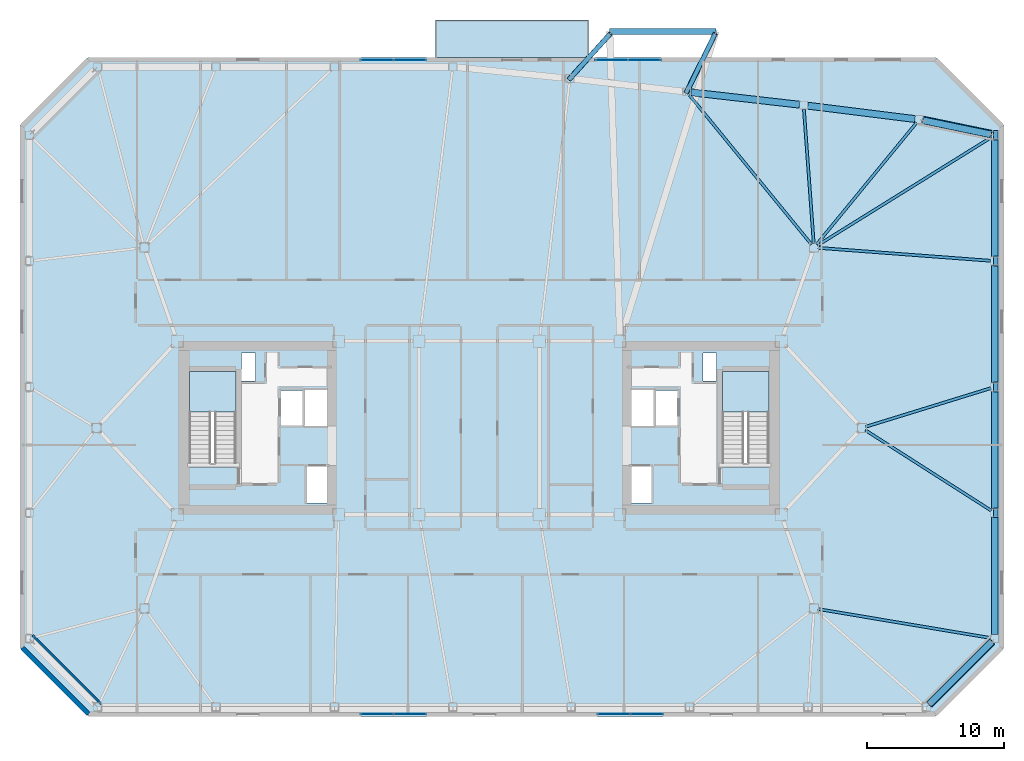
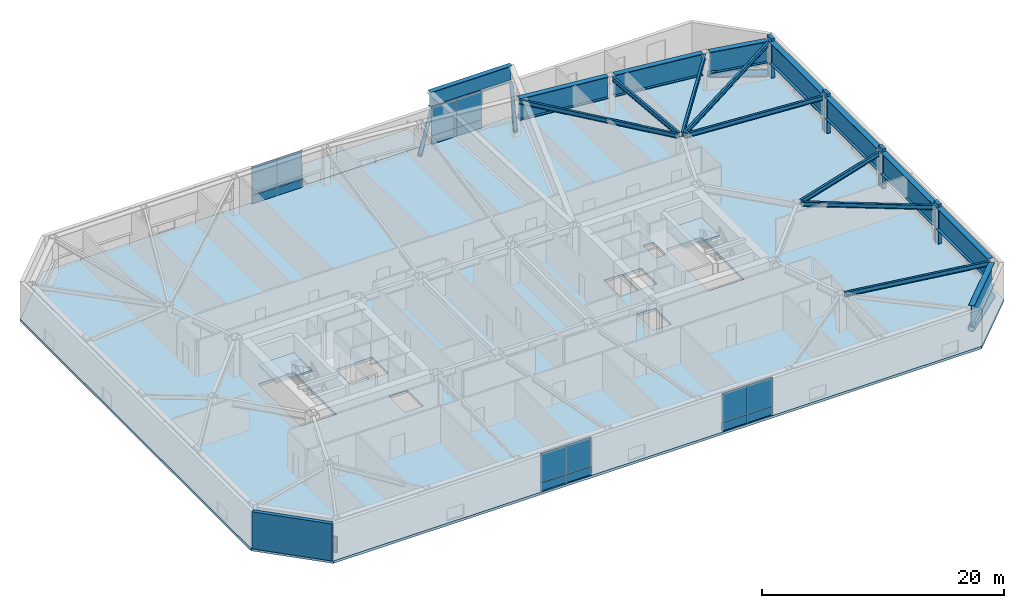
# One storey, part 9 of 19: 17 beams, 16 plates, 8 members, 4 slabs, 2 walls, 6 elements without a shape of their own.
"""IFC4 building model written with IfcOpenShell, lengths in metres."""

import ifcopenshell
import ifcopenshell.guid

model = None  # the IFC model being written
_history = None  # IfcOwnerHistory: only IFC2X3 demands one
_inside = {}  # id of a spatial element -> (the spatial element, [elements in it])
_under = {}  # id of a project, library or spatial element -> (it, [spatial elements below it])
_declared = {}  # id of a project -> (the project, [libraries it declares])
_typed = {}  # id of a type object -> (the type object, [elements of that type])
_made_of = {}  # id of a material, layer set ... -> (it, [elements and type objects made of it])


def new_model(schema):
    """Start an empty IFC model of exactly this schema.

    Asked for "IFC4X3", IfcOpenShell would pick the latest addendum, in which some entities
    have other attributes; the version numbers below select the first issue.
    IFC2X3 requires an IfcOwnerHistory on every rooted entity: one is made here for all.
    """
    global model, _history
    if schema == "IFC4X3":
        model = ifcopenshell.file(schema_version=(4, 3, 0, 0))
    else:
        model = ifcopenshell.file(schema=schema)
    _inside.clear()
    _under.clear()
    _declared.clear()
    _typed.clear()
    _made_of.clear()
    _history = None
    if model.schema == "IFC2X3":
        org = make("IfcOrganization", Name="unknown")
        user = make(
            "IfcPersonAndOrganization",
            ThePerson=make("IfcPerson", FamilyName="unknown"),
            TheOrganization=org,
        )
        app = make(
            "IfcApplication",
            ApplicationDeveloper=org,
            Version="unknown",
            ApplicationFullName="unknown",
            ApplicationIdentifier="unknown",
        )
        _history = make(
            "IfcOwnerHistory",
            OwningUser=user,
            OwningApplication=app,
            ChangeAction="ADDED",
            CreationDate=0,
        )
    return model


def make(cls, **values):
    """One entity of the class cls with the attributes given. An attribute that is None is left unset."""
    return model.create_entity(
        cls, **{name: value for name, value in values.items() if value is not None}
    )


def rooted(cls, **values):
    """An entity with a GlobalId (a new one), such as an element, a storey or a relation."""
    return make(cls, GlobalId=ifcopenshell.guid.new(), OwnerHistory=_history, **values)


def si_unit(unit_type, name, prefix=None):
    """IfcSIUnit, for example si_unit("LENGTHUNIT", "METRE", prefix="MILLI")."""
    return make("IfcSIUnit", UnitType=unit_type, Prefix=prefix, Name=name)


def assignment(units):
    """IfcUnitAssignment: the units of a project."""
    return None if units is None else make("IfcUnitAssignment", Units=units)


def point(xyz):
    """IfcCartesianPoint."""
    return None if xyz is None else make("IfcCartesianPoint", Coordinates=xyz)


def direction(xyz):
    """IfcDirection."""
    return None if xyz is None else make("IfcDirection", DirectionRatios=xyz)


def frame(location, z_axis=None, x_axis=None):
    """IfcAxis2Placement3D, a coordinate frame: its origin and axes. An axis left out is left unset."""
    return make(
        "IfcAxis2Placement3D",
        Location=point(location),
        Axis=direction(z_axis),
        RefDirection=direction(x_axis),
    )


def frame_2d(location, x_axis=None):
    """IfcAxis2Placement2D, a coordinate frame in the plane: its origin and x axis."""
    return make(
        "IfcAxis2Placement2D", Location=point(location), RefDirection=direction(x_axis)
    )


def origin():
    """The frame at (0, 0, 0) with its axes left unset."""
    return frame((0.0, 0.0, 0.0))


def origin_2d():
    """The frame at (0, 0) in the plane with its x axis left unset."""
    return frame_2d((0.0, 0.0))


def place(relative_to, where):
    """IfcLocalPlacement: puts the frame where relative to a parent placement (None: the world)."""
    return make(
        "IfcLocalPlacement", PlacementRelTo=relative_to, RelativePlacement=where
    )


def context(
    kind, dimensions, precision=None, world=None, true_north=None, identifier=None
):
    """IfcGeometricRepresentationContext, for example the 3D "Model" context."""
    return make(
        "IfcGeometricRepresentationContext",
        ContextIdentifier=identifier,
        ContextType=kind,
        CoordinateSpaceDimension=dimensions,
        Precision=precision,
        WorldCoordinateSystem=world,
        TrueNorth=true_north,
    )


def subcontext(parent, identifier, kind, view, scale=None):
    """IfcGeometricRepresentationSubContext, for example "Body" below "Model"."""
    return make(
        "IfcGeometricRepresentationSubContext",
        ContextIdentifier=identifier,
        ContextType=kind,
        ParentContext=parent,
        TargetScale=scale,
        TargetView=view,
    )


def project(units=None, contexts=None):
    """IfcProject with its units and contexts."""
    return rooted(
        "IfcProject",
        Name="project",
        RepresentationContexts=contexts,
        UnitsInContext=assignment(units),
    )


def spatial(cls, under=None, at=None, **own):
    """A site, building, storey or space (cls), placed at a placement, below another one or the project."""
    s = rooted(cls, ObjectPlacement=at, **own)
    if under is not None:
        _under.setdefault(under.id(), (under, []))[1].append(s)
    return s


def polyline(points):
    """IfcPolyline through the points."""
    return make("IfcPolyline", Points=[point(p) for p in points])


def profile(cls, at=None, kind="AREA", **sizes):
    """A parametric profile (cls). Its sizes go by their IFC names, for example OverallWidth=200.0."""
    return make(cls, ProfileType=kind, Position=at, **sizes)


def rectangle(**sizes):
    """IfcRectangleProfileDef."""
    return profile("IfcRectangleProfileDef", **sizes)


def hollow_circle(**sizes):
    """IfcCircleHollowProfileDef."""
    return profile("IfcCircleHollowProfileDef", **sizes)


def i_section(**sizes):
    """IfcIShapeProfileDef."""
    return profile("IfcIShapeProfileDef", **sizes)


def outline(outer, holes=None, kind="AREA"):
    """IfcArbitraryClosedProfileDef: a profile drawn as a closed curve; with holes, ...WithVoids."""
    if holes is None:
        return make("IfcArbitraryClosedProfileDef", ProfileType=kind, OuterCurve=outer)
    return make(
        "IfcArbitraryProfileDefWithVoids",
        ProfileType=kind,
        OuterCurve=outer,
        InnerCurves=holes,
    )


def extrude(swept, where, along, depth):
    """IfcExtrudedAreaSolid: the profile swept, set in the frame where, extruded along a direction by depth."""
    return make(
        "IfcExtrudedAreaSolid",
        SweptArea=swept,
        Position=where,
        ExtrudedDirection=direction(along),
        Depth=depth,
    )


def shape(context_of_items, identifier, shape_type, items):
    """IfcShapeRepresentation: the items that make up one representation, for example the "Body"."""
    return make(
        "IfcShapeRepresentation",
        ContextOfItems=context_of_items,
        RepresentationIdentifier=identifier,
        RepresentationType=shape_type,
        Items=items,
    )


def material(Name=None, Category=None):
    """IfcMaterial."""
    return make("IfcMaterial", Name=Name, Category=Category)


def layer(
    of_material, thickness, ventilated=None, Name=None, Category=None, Priority=None
):
    """IfcMaterialLayer: one layer of a wall or slab, of a material (None: an air gap)."""
    return make(
        "IfcMaterialLayer",
        Material=of_material,
        LayerThickness=thickness,
        IsVentilated=ventilated,
        Name=Name,
        Category=Category,
        Priority=Priority,
    )


def layer_set(layers, Name=None):
    """IfcMaterialLayerSet."""
    return make("IfcMaterialLayerSet", MaterialLayers=layers, LayerSetName=Name)


def material_profile(
    of_material, cross_section, Name=None, Category=None, Priority=None
):
    """IfcMaterialProfile: a cross section and its material."""
    return make(
        "IfcMaterialProfile",
        Name=Name,
        Material=of_material,
        Profile=cross_section,
        Priority=Priority,
        Category=Category,
    )


def profile_set(profiles, Name=None, composite=None):
    """IfcMaterialProfileSet."""
    return make(
        "IfcMaterialProfileSet",
        Name=Name,
        MaterialProfiles=profiles,
        CompositeProfile=composite,
    )


def made_of(thing, what):
    """Note that an element or type object is made of a material, layer set ...; save() writes the relation."""
    if what is not None:
        _made_of.setdefault(what.id(), (what, []))[1].append(thing)
    return thing


def type_object(cls, material=None, **own):
    """A type object (cls), such as IfcWallType, which elements share."""
    return made_of(rooted(cls, **own), material)


def element(
    cls,
    number,
    at=None,
    inside=None,
    cuts=None,
    type_object=None,
    material=None,
    context=None,
    identifier="Body",
    shape_type=None,
    held_by="IfcProductDefinitionShape",
    body=None,
    shapes=None,
    **own,
):
    """One element of the class cls, such as IfcWall. Its Tag is "e" and its number.

    at: its placement. inside: the storey or other place that contains it. cuts: it is an
    opening in that element (IfcRelVoidsElement). A single representation is given by context,
    identifier, shape_type and body (its items); several are given by shapes. held_by: the class
    of the entity that holds the representations. save() writes the other relations.
    """
    e = rooted(cls, Tag="e%d" % number, ObjectPlacement=at, **own)
    if body is not None:
        shapes = [shape(context, identifier, shape_type, body)]
    if shapes is not None:
        e.Representation = make(held_by, Representations=shapes)
    if inside is not None:
        _inside.setdefault(inside.id(), (inside, []))[1].append(e)
    if cuts is not None:
        rooted(
            "IfcRelVoidsElement", RelatingBuildingElement=cuts, RelatedOpeningElement=e
        )
    if type_object is not None:
        _typed.setdefault(type_object.id(), (type_object, []))[1].append(e)
    return made_of(e, material)


def aggregate(whole, parts):
    """IfcRelAggregates: a whole, such as a stair, and the parts it consists of."""
    return rooted("IfcRelAggregates", RelatingObject=whole, RelatedObjects=parts)


def save(model, path):
    """Write the relations noted so far, then the file.

    IfcRelAggregates (storeys below a building ...), IfcRelContainedInSpatialStructure (elements
    in a storey), IfcRelDefinesByType, IfcRelAssociatesMaterial and IfcRelDeclares: one each for
    every whole, place, type object, material and project.
    """
    for whole, parts in _under.values():
        aggregate(whole, parts)
    for where, things in _inside.values():
        rooted(
            "IfcRelContainedInSpatialStructure",
            RelatedElements=things,
            RelatingStructure=where,
        )
    for kind, things in _typed.values():
        rooted("IfcRelDefinesByType", RelatedObjects=things, RelatingType=kind)
    for what, things in _made_of.values():
        rooted("IfcRelAssociatesMaterial", RelatedObjects=things, RelatingMaterial=what)
    for by, libraries in _declared.values():
        rooted("IfcRelDeclares", RelatingContext=by, RelatedDefinitions=libraries)
    model.write(path)


model = new_model("IFC4")

# Units and contexts
model_context = context("Model", 3, precision=1e-05, world=origin(), true_north=direction((0.0, 1.0)))
body_context = subcontext(model_context, "Body", "Model", "MODEL_VIEW")
ifc_project = project(units=[si_unit("LENGTHUNIT", "METRE"), si_unit("AREAUNIT", "SQUARE_METRE"), si_unit("VOLUMEUNIT", "CUBIC_METRE"), si_unit("PLANEANGLEUNIT", "RADIAN"), si_unit("MASSUNIT", "GRAM", prefix="KILO")], contexts=[model_context])

# Site, building, storey
site_placement = place(None, origin())
site = spatial("IfcSite", under=ifc_project, at=site_placement, CompositionType="ELEMENT")
building_placement = place(site_placement, origin())
building = spatial("IfcBuilding", under=site, at=building_placement, Name="Tavrogorsk Clinical Tower", CompositionType="ELEMENT")
storey_placement = place(building_placement, frame((0.0, 0.0, 172.199951171875)))
storey = spatial("IfcBuildingStorey", under=building, at=storey_placement, Name="L39", CompositionType="ELEMENT", Elevation=172.199951171875)

# Members
ifc_material_1 = material(Name="Structural steel S390", Category="steel")
ifc_material_profile_1 = material_profile(ifc_material_1, hollow_circle(Radius=0.177734375, WallThickness=0.01416015625, at=origin_2d()), Name="CHS-355.6x14.2")
ifc_profile_set_1 = profile_set([ifc_material_profile_1], Name="Structural steel S390")
member_type_1 = type_object("IfcMemberType", Name="DayroomStrut_CHS355", PredefinedType="STRUT", material=ifc_profile_set_1)
member_1_placement = place(storey_placement, frame((6.5830078125, 25.509765625, 0.426513671875), z_axis=(0.640085362627, 0.709773536865, 0.294129656644), x_axis=(-0.742623076319, 0.669709613578, 0.0)))
element("IfcMember", 1, at=member_1_placement, inside=storey, type_object=member_type_1, Name="L40 Day-Room Raking Strut DRB-06-L", PredefinedType="STRUT", context=body_context, shape_type="SweptSolid", body=[
    extrude(hollow_circle(Radius=0.177734375, WallThickness=0.01416015625, at=origin_2d()), origin(), (0.0, 0.0, 1.0), 4.715576171875),
])
member_2_placement = place(storey_placement, frame((15.152099609375, 24.523193359375, 0.427978515625), z_axis=(0.423434223277, 0.8632103308, 0.274902497911), x_axis=(-0.897800698117, 0.440401982808, 0.0)))
element("IfcMember", 2, at=member_2_placement, inside=storey, type_object=member_type_1, Name="L40 Day-Room Raking Strut DRB-06-R", PredefinedType="STRUT", context=body_context, shape_type="SweptSolid", body=[
    extrude(hollow_circle(Radius=0.177734375, WallThickness=0.01416015625, at=origin_2d()), origin(), (0.0, 0.0, 1.0), 5.03466796875),
])
ifc_material_2 = material(Name="Structural steel S440", Category="steel")
ifc_material_profile_2 = material_profile(ifc_material_2, hollow_circle(Radius=0.304931640625, WallThickness=0.02490234375, at=origin_2d()), Name="CHS-610x25")
ifc_profile_set_2 = profile_set([ifc_material_profile_2], Name="Structural steel S440")
member_type_2 = type_object("IfcMemberType", Name="ExoBrace_CHS610", PredefinedType="BRACE", material=ifc_profile_set_2)
member_3_placement = place(storey_placement, frame((37.505126953125, -15.634765625, 0.35107421875), z_axis=(-0.697280371641, -0.697317619524, 0.165976567096), x_axis=(0.707125666829, -0.70708789504, 0.0)))
element("IfcMember", 3, at=member_3_placement, inside=storey, type_object=member_type_2, Name="L39 Corner Exoskeleton Brace S8-E1", PredefinedType="BRACE", context=body_context, shape_type="SweptSolid", body=[
    extrude(hollow_circle(Radius=0.304931640625, WallThickness=0.02490234375, at=origin_2d()), origin(), (0.0, 0.0, 1.0), 6.554443359375),
])
member_4_placement = place(storey_placement, frame((37.4248046875, 21.481201171875, 0.363525390625), z_axis=(-0.958143535071, 0.198563263744, 0.20623674865), x_axis=(-0.202925736391, -0.979194130656, 0.0)))
element("IfcMember", 4, at=member_4_placement, inside=storey, type_object=member_type_2, Name="L39 Corner Exoskeleton Brace E5-N1", PredefinedType="BRACE", context=body_context, shape_type="SweptSolid", body=[
    extrude(hollow_circle(Radius=0.304931640625, WallThickness=0.02490234375, at=origin_2d()), origin(), (0.0, 0.0, 1.0), 5.154296875),
])

# Beams
ifc_material_3 = material(Name="Structural steel S355", Category="steel")
ifc_material_profile_3 = material_profile(ifc_material_3, i_section(OverallWidth=0.199951171875, OverallDepth=0.449951171875, WebThickness=0.011474609375, FlangeThickness=0.01806640625, at=origin_2d()), Name="B-450x200x11.5x18")
ifc_profile_set_3 = profile_set([ifc_material_profile_3], Name="Structural steel S355")
beam_type_1 = type_object("IfcBeamType", Name="FloorBeam_B450", PredefinedType="BEAM", material=ifc_profile_set_3)
beam_1_placement = place(storey_placement, frame((24.69677734375, 13.439453125, 3.51513671875), z_axis=(0.634628511763, 0.772817347151, 0.0), x_axis=(-0.772817347151, 0.634628511763, 0.0)))
element("IfcBeam", 5, at=beam_1_placement, inside=storey, type_object=beam_type_1, Name="L39 Radial Floor Beam N1", PredefinedType="BEAM", context=body_context, shape_type="SweptSolid", body=[
    extrude(i_section(OverallWidth=0.199951171875, OverallDepth=0.449951171875, WebThickness=0.011474609375, FlangeThickness=0.01806640625, at=origin_2d()), origin(), (0.0, 0.0, 1.0), 11.501220703125),
])
beam_2_placement = place(storey_placement, frame((24.477294921875, 13.50927734375, 3.51513671875), z_axis=(-0.072962981763, 0.9973346496, 0.0), x_axis=(-0.9973346496, -0.072962981763, 0.0)))
element("IfcBeam", 6, at=beam_2_placement, inside=storey, type_object=beam_type_1, Name="L39 Radial Floor Beam N2", PredefinedType="BEAM", context=body_context, shape_type="SweptSolid", body=[
    extrude(i_section(OverallWidth=0.199951171875, OverallDepth=0.449951171875, WebThickness=0.011474609375, FlangeThickness=0.01806640625, at=origin_2d()), origin(), (0.0, 0.0, 1.0), 9.827392578125),
])
beam_3_placement = place(storey_placement, frame((24.3037109375, 13.43994140625, 3.51513671875), z_axis=(-0.632955765669, 0.774187960838, 0.0), x_axis=(-0.774187960838, -0.632955765669, 0.0)))
element("IfcBeam", 7, at=beam_3_placement, inside=storey, type_object=beam_type_1, Name="L39 Radial Floor Beam N3", PredefinedType="BEAM", context=body_context, shape_type="SweptSolid", body=[
    extrude(i_section(OverallWidth=0.199951171875, OverallDepth=0.449951171875, WebThickness=0.011474609375, FlangeThickness=0.01806640625, at=origin_2d()), origin(), (0.0, 0.0, 1.0), 14.09716796875),
])
beam_4_placement = place(storey_placement, frame((24.8056640625, -13.251220703125, 3.51513671875), z_axis=(0.986191418361, -0.165609439197, 0.0), x_axis=(0.165609439197, 0.986191418361, 0.0)))
element("IfcBeam", 8, at=beam_4_placement, inside=storey, type_object=beam_type_1, Name="L39 Radial Floor Beam E1", PredefinedType="BEAM", context=body_context, shape_type="SweptSolid", body=[
    extrude(i_section(OverallWidth=0.199951171875, OverallDepth=0.449951171875, WebThickness=0.011474609375, FlangeThickness=0.01806640625, at=origin_2d()), origin(), (0.0, 0.0, 1.0), 12.787109375),
])
beam_5_placement = place(storey_placement, frame((28.26123046875, -0.1669921875, 3.51513671875), z_axis=(0.842699642064, -0.538383983106, 0.0), x_axis=(0.538383983106, 0.842699642064, 0.0)))
element("IfcBeam", 9, at=beam_5_placement, inside=storey, type_object=beam_type_1, Name="L39 Radial Floor Beam E2", PredefinedType="BEAM", context=body_context, shape_type="SweptSolid", body=[
    extrude(i_section(OverallWidth=0.199951171875, OverallDepth=0.449951171875, WebThickness=0.011474609375, FlangeThickness=0.01806640625, at=origin_2d()), origin(), (0.0, 0.0, 1.0), 10.916259765625),
])
beam_6_placement = place(storey_placement, frame((28.296142578125, 0.09130859375, 3.51513671875), z_axis=(0.955521187686, 0.294922464187, 0.0), x_axis=(-0.294922464187, 0.955521187686, 0.0)))
element("IfcBeam", 10, at=beam_6_placement, inside=storey, type_object=beam_type_1, Name="L39 Radial Floor Beam E3", PredefinedType="BEAM", context=body_context, shape_type="SweptSolid", body=[
    extrude(i_section(OverallWidth=0.199951171875, OverallDepth=0.449951171875, WebThickness=0.011474609375, FlangeThickness=0.01806640625, at=origin_2d()), origin(), (0.0, 0.0, 1.0), 9.5546875),
])
beam_7_placement = place(storey_placement, frame((24.80908203125, 13.1767578125, 3.51513671875), z_axis=(0.997207767172, -0.074677098845, 0.0), x_axis=(0.074677098845, 0.997207767172, 0.0)))
element("IfcBeam", 11, at=beam_7_placement, inside=storey, type_object=beam_type_1, Name="L39 Radial Floor Beam E4", PredefinedType="BEAM", context=body_context, shape_type="SweptSolid", body=[
    extrude(i_section(OverallWidth=0.199951171875, OverallDepth=0.449951171875, WebThickness=0.011474609375, FlangeThickness=0.01806640625, at=origin_2d()), origin(), (0.0, 0.0, 1.0), 12.63916015625),
])
beam_8_placement = place(storey_placement, frame((24.76318359375, 13.36376953125, 3.51513671875), z_axis=(0.849229115923, 0.528024534154, 0.0), x_axis=(-0.528024534154, 0.849229115923, 0.0)))
element("IfcBeam", 12, at=beam_8_placement, inside=storey, type_object=beam_type_1, Name="L39 Radial Floor Beam E5", PredefinedType="BEAM", context=body_context, shape_type="SweptSolid", body=[
    extrude(i_section(OverallWidth=0.199951171875, OverallDepth=0.449951171875, WebThickness=0.011474609375, FlangeThickness=0.01806640625, at=origin_2d()), origin(), (0.0, 0.0, 1.0), 14.94921875),
])

# Members
ifc_material_4 = material(Name="Precast concrete B45 with limestone cladding", Category="masonry")
ifc_material_profile_4 = material_profile(ifc_material_4, rectangle(XDim=0.320068359375, YDim=0.719970703125, at=origin_2d()), Name="LIMESTONE-FIN-320x720")
ifc_profile_set_4 = profile_set([ifc_material_profile_4], Name="Precast concrete B45 with limestone cladding")
member_type_3 = type_object("IfcMemberType", Name="LimestonePleatFin_320x720", PredefinedType="USERDEFINED", material=ifc_profile_set_4)
for number, where, z_axis, x_axis, name in (
    (13, (37.800048828125, -6.2099609375, 0.0), (0.0, 0.0, 1.0), (1.0, 0.0, 0.0), "L39 E Pleated Stone Fin 1"),
    (14, (37.800048828125, 3.0, 0.0), (0.0, 0.0, 1.0), (1.0, 0.0, 0.0), "L39 E Pleated Stone Fin 2"),
    (15, (37.800048828125, 12.2099609375, 0.0), (0.0, 0.0, 1.0), (1.0, 0.0, 0.0), "L39 E Pleated Stone Fin 3"),
    (16, (37.800048828125, 21.419921875, 0.0), (0.0, 0.0, 1.0), (1.0, 0.0, 0.0), "L39 E Pleated Stone Fin 4"),
):
    element("IfcMember", number, at=place(storey_placement, frame(where, z_axis=z_axis, x_axis=x_axis)), inside=storey, type_object=member_type_3, Name=name, ObjectType="FIN", PredefinedType="USERDEFINED", context=body_context, shape_type="SweptSolid", body=[
        extrude(rectangle(XDim=0.320068359375, YDim=0.719970703125, at=origin_2d()), origin(), (0.0, 0.0, 1.0), 4.0),
    ])

# Beams
ifc_material_5 = material(Name="Structural steel S440", Category="steel")
ifc_material_profile_5 = material_profile(ifc_material_5, i_section(OverallWidth=0.449951171875, OverallDepth=1.60009765625, WebThickness=0.031982421875, FlangeThickness=0.050048828125, at=origin_2d()), Name="DK-1600x450x32x50")
ifc_profile_set_5 = profile_set([ifc_material_profile_5], Name="Structural steel S440")
beam_type_2 = type_object("IfcBeamType", Name="TransferGirder_DK1600", PredefinedType="USERDEFINED", material=ifc_profile_set_5)
beam_9_placement = place(storey_placement, frame((9.542724609375, 29.019775390625, 2.93994140625), z_axis=(0.999999249607, -0.001225065831, 0.0), x_axis=(0.001225065831, 0.999999249607, 0.0)))
element("IfcBeam", 17, at=beam_9_placement, inside=storey, type_object=beam_type_2, Name="L40 Day-Room Base Edge Girder DRB-06", ObjectType="GIRDER", PredefinedType="USERDEFINED", context=body_context, shape_type="SweptSolid", body=[
    extrude(i_section(OverallWidth=0.449951171875, OverallDepth=1.60009765625, WebThickness=0.031982421875, FlangeThickness=0.050048828125, at=origin_2d()), origin(), (0.0, 0.0, 1.0), 7.772216796875),
])
ifc_material_6 = material(Name="Structural steel S440", Category="steel")
ifc_material_profile_6 = material_profile(ifc_material_6, i_section(OverallWidth=0.5, OverallDepth=2.199951171875, WebThickness=0.035888671875, FlangeThickness=0.054931640625, at=origin_2d()), Name="DK-2200x500x36x55")
ifc_profile_set_6 = profile_set([ifc_material_profile_6], Name="Structural steel S440")
beam_type_3 = type_object("IfcBeamType", Name="TransferGirder_DK2200", PredefinedType="USERDEFINED", material=ifc_profile_set_6)
beam_10_placement = place(storey_placement, frame((32.937744140625, -20.2021484375, 2.64013671875), z_axis=(0.707106781187, 0.707106781187, 0.0), x_axis=(-0.707106781187, 0.707106781187, 0.0)))
element("IfcBeam", 18, at=beam_10_placement, inside=storey, type_object=beam_type_3, Name="L39 Perimeter Spandrel S8-E1", ObjectType="GIRDER", PredefinedType="USERDEFINED", context=body_context, shape_type="SweptSolid", body=[
    extrude(i_section(OverallWidth=0.5, OverallDepth=2.199951171875, WebThickness=0.035888671875, FlangeThickness=0.054931640625, at=origin_2d()), origin(), (0.0, 0.0, 1.0), 6.455078125),
])
for number, where, z_axis, x_axis, name in (
    (19, (37.719970703125, -15.112060546875, 2.64013671875), (0.0, 1.0, 0.0), (-1.0, 0.0, 0.0), "L39 Perimeter Spandrel E1-E2"),
    (20, (37.719970703125, -5.902099609375, 2.64013671875), (0.0, 1.0, 0.0), (-1.0, 0.0, 0.0), "L39 Perimeter Spandrel E2-E3"),
    (21, (37.719970703125, 3.30810546875, 2.64013671875), (0.0, 1.0, 0.0), (-1.0, 0.0, 0.0), "L39 Perimeter Spandrel E3-E4"),
    (22, (37.719970703125, 12.51806640625, 2.64013671875), (0.0, 1.0, 0.0), (-1.0, 0.0, 0.0), "L39 Perimeter Spandrel E4-E5"),
):
    element("IfcBeam", number, at=place(storey_placement, frame(where, z_axis=z_axis, x_axis=x_axis)), inside=storey, type_object=beam_type_3, Name=name, ObjectType="GIRDER", PredefinedType="USERDEFINED", context=body_context, shape_type="SweptSolid", body=[
        extrude(i_section(OverallWidth=0.5, OverallDepth=2.199951171875, WebThickness=0.035888671875, FlangeThickness=0.054931640625, at=origin_2d()), origin(), (0.0, 0.0, 1.0), 8.593994140625),
    ])
beam_11_placement = place(storey_placement, frame((37.41845703125, 21.482421875, 2.64013671875), z_axis=(-0.979184643877, 0.202971508337, 0.0), x_axis=(-0.202971508337, -0.979184643877, 0.0)))
element("IfcBeam", 23, at=beam_11_placement, inside=storey, type_object=beam_type_3, Name="L39 Perimeter Spandrel E5-N1", ObjectType="GIRDER", PredefinedType="USERDEFINED", context=body_context, shape_type="SweptSolid", body=[
    extrude(i_section(OverallWidth=0.5, OverallDepth=2.199951171875, WebThickness=0.035888671875, FlangeThickness=0.054931640625, at=origin_2d()), origin(), (0.0, 0.0, 1.0), 5.0302734375),
])
beam_12_placement = place(storey_placement, frame((31.8857421875, 22.60400390625, 2.64013671875), z_axis=(-0.992347112015, 0.123479590521, 0.0), x_axis=(-0.123479590521, -0.992347112015, 0.0)))
element("IfcBeam", 24, at=beam_12_placement, inside=storey, type_object=beam_type_3, Name="L39 Perimeter Spandrel N1-N2", ObjectType="GIRDER", PredefinedType="USERDEFINED", context=body_context, shape_type="SweptSolid", body=[
    extrude(i_section(OverallWidth=0.5, OverallDepth=2.199951171875, WebThickness=0.035888671875, FlangeThickness=0.054931640625, at=origin_2d()), origin(), (0.0, 0.0, 1.0), 7.90283203125),
])
beam_13_placement = place(storey_placement, frame((23.431884765625, 23.652587890625, 2.64013671875), z_axis=(-0.993569841398, 0.113220891465, 0.0), x_axis=(-0.113220891465, -0.993569841398, 0.0)))
element("IfcBeam", 25, at=beam_13_placement, inside=storey, type_object=beam_type_3, Name="L39 Perimeter Spandrel N2-N3", ObjectType="GIRDER", PredefinedType="USERDEFINED", context=body_context, shape_type="SweptSolid", body=[
    extrude(i_section(OverallWidth=0.5, OverallDepth=2.199951171875, WebThickness=0.035888671875, FlangeThickness=0.054931640625, at=origin_2d()), origin(), (0.0, 0.0, 1.0), 7.9912109375),
])

# Curtain wall, plates
ifc_material_7 = material(Name="Anodised aluminium and triple IGU glazing", Category="aluminium")
ifc_layer_1 = layer(ifc_material_7, 0.179931640625)
ifc_layer_set_1 = layer_set([ifc_layer_1], Name="Anodised aluminium and triple IGU glazing")
curtain_wall_type_1 = type_object("IfcCurtainWallType", Name="CW3_SouthSlot", PredefinedType="NOTDEFINED", material=ifc_layer_set_1)
curtain_wall_1_placement = place(storey_placement, origin())
curtain_wall_1 = element("IfcCurtainWall", 26, at=curtain_wall_1_placement, inside=storey, type_object=curtain_wall_type_1, Name="L39 Curtain Wall CW-L39-S-SLOT-1", PredefinedType="NOTDEFINED")
ifc_material_8 = material(Name="Honed Podolsk limestone spandrel panel", Category="masonry")
ifc_layer_2 = layer(ifc_material_8, 0.080078125)
ifc_layer_set_2 = layer_set([ifc_layer_2], Name="Honed Podolsk limestone spandrel panel")
plate_type_1 = type_object("IfcPlateType", Name="CwSpandrelStonePanel_80", PredefinedType="CURTAIN_PANEL", material=ifc_layer_set_2)
plate_1_placement = place(storey_placement, frame((-7.470947265625, -20.929931640625, 0.002197265625), z_axis=(0.0, 0.0, 1.0), x_axis=(1.0, 0.0, 0.0)))
plate_1 = element("IfcPlate", 27, at=plate_1_placement, type_object=plate_type_1, Name="CW-L39-S-SLOT-1 Stone Spandrel Panel 1", PredefinedType="CURTAIN_PANEL", context=body_context, shape_type="SweptSolid", body=[
    extrude(rectangle(XDim=2.39208984375, YDim=0.080078125, at=origin_2d()), origin(), (0.0, 0.0, 1.0), 0.8359375),
])
plate_2_placement = place(storey_placement, frame((-5.054931640625, -20.929931640625, 0.002197265625), z_axis=(0.0, 0.0, 1.0), x_axis=(1.0, 0.0, 0.0)))
plate_2 = element("IfcPlate", 28, at=plate_2_placement, type_object=plate_type_1, Name="CW-L39-S-SLOT-1 Stone Spandrel Panel 2", PredefinedType="CURTAIN_PANEL", context=body_context, shape_type="SweptSolid", body=[
    extrude(rectangle(XDim=2.39208984375, YDim=0.080078125, at=origin_2d()), origin(), (0.0, 0.0, 1.0), 0.8359375),
])

curtain_wall_2_placement = place(storey_placement, origin())
curtain_wall_2 = element("IfcCurtainWall", 29, at=curtain_wall_2_placement, inside=storey, type_object=curtain_wall_type_1, Name="L39 Curtain Wall CW-L39-S-SLOT-2", PredefinedType="NOTDEFINED")
plate_3_placement = place(storey_placement, frame((9.854736328125, -20.929931640625, 0.002197265625), z_axis=(0.0, 0.0, 1.0), x_axis=(1.0, 0.0, 0.0)))
plate_3 = element("IfcPlate", 30, at=plate_3_placement, type_object=plate_type_1, Name="CW-L39-S-SLOT-2 Stone Spandrel Panel 1", PredefinedType="CURTAIN_PANEL", context=body_context, shape_type="SweptSolid", body=[
    extrude(rectangle(XDim=2.39208984375, YDim=0.080078125, at=origin_2d()), origin(), (0.0, 0.0, 1.0), 0.8359375),
])
plate_4_placement = place(storey_placement, frame((12.270751953125, -20.929931640625, 0.002197265625), z_axis=(0.0, 0.0, 1.0), x_axis=(1.0, 0.0, 0.0)))
plate_4 = element("IfcPlate", 31, at=plate_4_placement, type_object=plate_type_1, Name="CW-L39-S-SLOT-2 Stone Spandrel Panel 2", PredefinedType="CURTAIN_PANEL", context=body_context, shape_type="SweptSolid", body=[
    extrude(rectangle(XDim=2.39208984375, YDim=0.080078125, at=origin_2d()), origin(), (0.0, 0.0, 1.0), 0.8359375),
])

ifc_material_9 = material(Name="Anodised aluminium and triple IGU glazing", Category="aluminium")
ifc_layer_3 = layer(ifc_material_9, 0.179931640625)
ifc_layer_set_3 = layer_set([ifc_layer_3], Name="Anodised aluminium and triple IGU glazing")
curtain_wall_type_2 = type_object("IfcCurtainWallType", Name="CW2_NorthSlot", PredefinedType="NOTDEFINED", material=ifc_layer_set_3)
curtain_wall_3_placement = place(storey_placement, origin())
curtain_wall_3 = element("IfcCurtainWall", 32, at=curtain_wall_3_placement, inside=storey, type_object=curtain_wall_type_2, Name="L39 Curtain Wall CW-L39-N-SLOT-1", PredefinedType="NOTDEFINED")
plate_5_placement = place(storey_placement, frame((-5.054931640625, 26.929931640625, 0.002197265625), z_axis=(0.0, 0.0, 1.0), x_axis=(-1.0, 0.0, 0.0)))
plate_5 = element("IfcPlate", 33, at=plate_5_placement, type_object=plate_type_1, Name="CW-L39-N-SLOT-1 Stone Spandrel Panel 1", PredefinedType="CURTAIN_PANEL", context=body_context, shape_type="SweptSolid", body=[
    extrude(rectangle(XDim=2.39208984375, YDim=0.080078125, at=origin_2d()), origin(), (0.0, 0.0, 1.0), 0.8359375),
])
plate_6_placement = place(storey_placement, frame((-7.470947265625, 26.929931640625, 0.002197265625), z_axis=(0.0, 0.0, 1.0), x_axis=(-1.0, 0.0, 0.0)))
plate_6 = element("IfcPlate", 34, at=plate_6_placement, type_object=plate_type_1, Name="CW-L39-N-SLOT-1 Stone Spandrel Panel 2", PredefinedType="CURTAIN_PANEL", context=body_context, shape_type="SweptSolid", body=[
    extrude(rectangle(XDim=2.39208984375, YDim=0.080078125, at=origin_2d()), origin(), (0.0, 0.0, 1.0), 0.8359375),
])

curtain_wall_4_placement = place(storey_placement, origin())
curtain_wall_4 = element("IfcCurtainWall", 35, at=curtain_wall_4_placement, inside=storey, type_object=curtain_wall_type_2, Name="L39 Curtain Wall CW-L39-N-SLOT-2", PredefinedType="NOTDEFINED")
plate_7_placement = place(storey_placement, frame((12.1181640625, 26.929931640625, 0.002197265625), z_axis=(0.0, 0.0, 1.0), x_axis=(-1.0, 0.0, 0.0)))
plate_7 = element("IfcPlate", 36, at=plate_7_placement, type_object=plate_type_1, Name="CW-L39-N-SLOT-2 Stone Spandrel Panel 1", PredefinedType="CURTAIN_PANEL", context=body_context, shape_type="SweptSolid", body=[
    extrude(rectangle(XDim=2.39208984375, YDim=0.080078125, at=origin_2d()), origin(), (0.0, 0.0, 1.0), 0.8359375),
])
plate_8_placement = place(storey_placement, frame((9.7021484375, 26.929931640625, 0.002197265625), z_axis=(0.0, 0.0, 1.0), x_axis=(-1.0, 0.0, 0.0)))
plate_8 = element("IfcPlate", 37, at=plate_8_placement, type_object=plate_type_1, Name="CW-L39-N-SLOT-2 Stone Spandrel Panel 2", PredefinedType="CURTAIN_PANEL", context=body_context, shape_type="SweptSolid", body=[
    extrude(rectangle(XDim=2.39208984375, YDim=0.080078125, at=origin_2d()), origin(), (0.0, 0.0, 1.0), 0.8359375),
])

# Plate
ifc_material_10 = material(Name="Triple low-E argon insulated glass", Category="glass")
ifc_layer_4 = layer(ifc_material_10, 0.048095703125)
ifc_layer_set_4 = layer_set([ifc_layer_4], Name="Triple low-E argon insulated glass")
plate_type_2 = type_object("IfcPlateType", Name="CwVisionGlassPanel_48", PredefinedType="CURTAIN_PANEL", material=ifc_layer_set_4)
plate_9_placement = place(storey_placement, frame((-7.470947265625, -20.929931640625, 0.862060546875), z_axis=(0.0, 0.0, 1.0), x_axis=(1.0, 0.0, 0.0)))
plate_9 = element("IfcPlate", 38, at=plate_9_placement, type_object=plate_type_2, Name="CW-L39-S-SLOT-1 Glazing Panel 1", PredefinedType="CURTAIN_PANEL", context=body_context, shape_type="SweptSolid", body=[
    extrude(rectangle(XDim=2.39208984375, YDim=0.048095703125, at=origin_2d()), origin(), (0.0, 0.0, 1.0), 2.8759765625),
])

plate_10_placement = place(storey_placement, frame((-5.054931640625, -20.929931640625, 0.862060546875), z_axis=(0.0, 0.0, 1.0), x_axis=(1.0, 0.0, 0.0)))
plate_10 = element("IfcPlate", 39, at=plate_10_placement, type_object=plate_type_2, Name="CW-L39-S-SLOT-1 Glazing Panel 2", PredefinedType="CURTAIN_PANEL", context=body_context, shape_type="SweptSolid", body=[
    extrude(rectangle(XDim=2.39208984375, YDim=0.048095703125, at=origin_2d()), origin(), (0.0, 0.0, 1.0), 2.8759765625),
])

aggregate(curtain_wall_1, [plate_1, plate_9, plate_2, plate_10])

plate_11_placement = place(storey_placement, frame((9.854736328125, -20.929931640625, 0.862060546875), z_axis=(0.0, 0.0, 1.0), x_axis=(1.0, 0.0, 0.0)))
plate_11 = element("IfcPlate", 40, at=plate_11_placement, type_object=plate_type_2, Name="CW-L39-S-SLOT-2 Glazing Panel 1", PredefinedType="CURTAIN_PANEL", context=body_context, shape_type="SweptSolid", body=[
    extrude(rectangle(XDim=2.39208984375, YDim=0.048095703125, at=origin_2d()), origin(), (0.0, 0.0, 1.0), 2.8759765625),
])

plate_12_placement = place(storey_placement, frame((12.270751953125, -20.929931640625, 0.862060546875), z_axis=(0.0, 0.0, 1.0), x_axis=(1.0, 0.0, 0.0)))
plate_12 = element("IfcPlate", 41, at=plate_12_placement, type_object=plate_type_2, Name="CW-L39-S-SLOT-2 Glazing Panel 2", PredefinedType="CURTAIN_PANEL", context=body_context, shape_type="SweptSolid", body=[
    extrude(rectangle(XDim=2.39208984375, YDim=0.048095703125, at=origin_2d()), origin(), (0.0, 0.0, 1.0), 2.8759765625),
])

aggregate(curtain_wall_2, [plate_3, plate_11, plate_4, plate_12])

plate_13_placement = place(storey_placement, frame((-5.054931640625, 26.929931640625, 0.862060546875), z_axis=(0.0, 0.0, 1.0), x_axis=(-1.0, 0.0, 0.0)))
plate_13 = element("IfcPlate", 42, at=plate_13_placement, type_object=plate_type_2, Name="CW-L39-N-SLOT-1 Glazing Panel 1", PredefinedType="CURTAIN_PANEL", context=body_context, shape_type="SweptSolid", body=[
    extrude(rectangle(XDim=2.39208984375, YDim=0.048095703125, at=origin_2d()), origin(), (0.0, 0.0, 1.0), 2.8759765625),
])

plate_14_placement = place(storey_placement, frame((-7.470947265625, 26.929931640625, 0.862060546875), z_axis=(0.0, 0.0, 1.0), x_axis=(-1.0, 0.0, 0.0)))
plate_14 = element("IfcPlate", 43, at=plate_14_placement, type_object=plate_type_2, Name="CW-L39-N-SLOT-1 Glazing Panel 2", PredefinedType="CURTAIN_PANEL", context=body_context, shape_type="SweptSolid", body=[
    extrude(rectangle(XDim=2.39208984375, YDim=0.048095703125, at=origin_2d()), origin(), (0.0, 0.0, 1.0), 2.8759765625),
])

aggregate(curtain_wall_3, [plate_5, plate_13, plate_6, plate_14])

plate_15_placement = place(storey_placement, frame((12.1181640625, 26.929931640625, 0.862060546875), z_axis=(0.0, 0.0, 1.0), x_axis=(-1.0, 0.0, 0.0)))
plate_15 = element("IfcPlate", 44, at=plate_15_placement, type_object=plate_type_2, Name="CW-L39-N-SLOT-2 Glazing Panel 1", PredefinedType="CURTAIN_PANEL", context=body_context, shape_type="SweptSolid", body=[
    extrude(rectangle(XDim=2.39208984375, YDim=0.048095703125, at=origin_2d()), origin(), (0.0, 0.0, 1.0), 2.8759765625),
])

plate_16_placement = place(storey_placement, frame((9.7021484375, 26.929931640625, 0.862060546875), z_axis=(0.0, 0.0, 1.0), x_axis=(-1.0, 0.0, 0.0)))
plate_16 = element("IfcPlate", 45, at=plate_16_placement, type_object=plate_type_2, Name="CW-L39-N-SLOT-2 Glazing Panel 2", PredefinedType="CURTAIN_PANEL", context=body_context, shape_type="SweptSolid", body=[
    extrude(rectangle(XDim=2.39208984375, YDim=0.048095703125, at=origin_2d()), origin(), (0.0, 0.0, 1.0), 2.8759765625),
])

aggregate(curtain_wall_4, [plate_7, plate_15, plate_8, plate_16])

# Stair, slab
ifc_material_11 = material(Name="Concrete B60", Category="concrete")
stair_type = type_object("IfcStairType", Name="CoreStairAssembly", PredefinedType="HALF_TURN_STAIR", material=ifc_material_11)
stair_1_placement = place(storey_placement, origin())
stair_1 = element("IfcStair", 46, at=stair_1_placement, inside=storey, type_object=stair_type, Name="L39 ST-W", PredefinedType="HALF_TURN_STAIR")
ifc_material_12 = material(Name="Concrete B60", Category="concrete")
ifc_layer_5 = layer(ifc_material_12, 0.199951171875)
ifc_layer_set_5 = layer_set([ifc_layer_5], Name="Concrete B60")
slab_type_1 = type_object("IfcSlabType", Name="StairLanding_200", PredefinedType="LANDING", material=ifc_layer_set_5)
slab_1_placement = place(storey_placement, frame((0.0, 0.0, 1.800048828125)))
slab_1 = element("IfcSlab", 47, at=slab_1_placement, type_object=slab_type_1, Name="ST-W landing 1", PredefinedType="LANDING", context=body_context, shape_type="SweptSolid", body=[
    extrude(outline(polyline([(-17.800048828125, 1.1650390625), (-17.800048828125, 4.125), (-21.199951171875, 4.125), (-21.199951171875, 1.1650390625), (-17.800048828125, 1.1650390625)])), origin(), (0.0, 0.0, 1.0), 0.199951171875),
])
aggregate(stair_1, [slab_1])

stair_2_placement = place(storey_placement, origin())
stair_2 = element("IfcStair", 48, at=stair_2_placement, inside=storey, type_object=stair_type, Name="L39 ST-E", PredefinedType="HALF_TURN_STAIR")
slab_2_placement = place(storey_placement, frame((0.0, 0.0, 1.800048828125)))
slab_2 = element("IfcSlab", 49, at=slab_2_placement, type_object=slab_type_1, Name="ST-E landing 1", PredefinedType="LANDING", context=body_context, shape_type="SweptSolid", body=[
    extrude(outline(polyline([(21.199951171875, 1.1650390625), (21.199951171875, 4.125), (17.800048828125, 4.125), (17.800048828125, 1.1650390625), (21.199951171875, 1.1650390625)])), origin(), (0.0, 0.0, 1.0), 0.199951171875),
])
aggregate(stair_2, [slab_2])

# Slabs
ifc_material_13 = material(Name="Concrete B60", Category="concrete")
ifc_layer_6 = layer(ifc_material_13, 0.280029296875)
ifc_layer_set_6 = layer_set([ifc_layer_6], Name="Concrete B60")
slab_type_2 = type_object("IfcSlabType", Name="TerraceRoofSlab_280", PredefinedType="ROOF", material=ifc_layer_set_6)
slab_3_placement = place(storey_placement, frame((0.0, 0.0, -0.280029296875)))
element("IfcSlab", 50, at=slab_3_placement, inside=storey, type_object=slab_type_2, Name="Spiralling Recuperation Terrace Slab", PredefinedType="ROOF", context=body_context, shape_type="SweptSolid", body=[
    extrude(outline(polyline([(-3.199951171875, 29.85009765625), (8.0, 29.85009765625), (8.0, 27.10009765625), (-3.199951171875, 27.10009765625), (-3.199951171875, 29.85009765625)])), origin(), (0.0, 0.0, 1.0), 0.280029296875),
])
ifc_material_14 = material(Name="Concrete B60", Category="concrete")
ifc_layer_7 = layer(ifc_material_14, 0.260009765625)
ifc_layer_set_7 = layer_set([ifc_layer_7], Name="Concrete B60")
slab_type_3 = type_object("IfcSlabType", Name="WardSlab_260", PredefinedType="FLOOR", material=ifc_layer_set_7)
slab_4_placement = place(storey_placement, frame((0.0, 0.0, -0.260009765625)))
element("IfcSlab", 51, at=slab_4_placement, inside=storey, type_object=slab_type_3, Name="L39 Structural Slab", PredefinedType="FLOOR", context=body_context, shape_type="SweptSolid", body=[
    extrude(outline(polyline([(-28.60009765625, -21.10009765625), (33.39990234375, -21.10009765625), (38.39990234375, -16.10009765625), (38.39990234375, 22.10009765625), (33.39990234375, 27.10009765625), (-28.60009765625, 27.10009765625), (-33.60009765625, 22.10009765625), (-33.60009765625, -16.10009765625), (-28.60009765625, -21.10009765625)]), holes=[polyline([(-17.800048828125, -2.8798828125), (-17.800048828125, 4.125), (-21.199951171875, 4.125), (-21.199951171875, -2.8798828125), (-17.800048828125, -2.8798828125)]), polyline([(21.199951171875, -2.8798828125), (21.199951171875, 4.125), (17.800048828125, 4.125), (17.800048828125, -2.8798828125), (21.199951171875, -2.8798828125)]), polyline([(-14.6201171875, 0.169921875), (-12.860107421875, 0.169921875), (-12.860107421875, 2.72998046875), (-14.6201171875, 2.72998046875), (-14.6201171875, 0.169921875)]), polyline([(-12.72998046875, -5.47998046875), (-10.969970703125, -5.47998046875), (-10.969970703125, -2.820068359375), (-12.72998046875, -2.820068359375), (-12.72998046875, -5.47998046875)]), polyline([(-12.840087890625, 0.1201171875), (-11.080078125, 0.1201171875), (-11.080078125, 2.780029296875), (-12.840087890625, 2.780029296875), (-12.840087890625, 0.1201171875)]), polyline([(12.860107421875, 0.169921875), (14.6201171875, 0.169921875), (14.6201171875, 2.72998046875), (12.860107421875, 2.72998046875), (12.860107421875, 0.169921875)]), polyline([(10.969970703125, -5.47998046875), (12.72998046875, -5.47998046875), (12.72998046875, -2.820068359375), (10.969970703125, -2.820068359375), (10.969970703125, -5.47998046875)]), polyline([(11.080078125, 0.1201171875), (12.840087890625, 0.1201171875), (12.840087890625, 2.780029296875), (11.080078125, 2.780029296875), (11.080078125, 0.1201171875)]), polyline([(-17.3798828125, 3.449951171875), (-16.3798828125, 3.449951171875), (-16.3798828125, 5.5), (-17.3798828125, 5.5), (-17.3798828125, 3.449951171875)]), polyline([(16.3798828125, 3.449951171875), (17.3798828125, 3.449951171875), (17.3798828125, 5.5), (16.3798828125, 5.5), (16.3798828125, 3.449951171875)])]), origin(), (0.0, 0.0, 1.0), 0.260009765625),
])

# Walls
ifc_material_15 = material(Name="Lightweight concrete blockwork B15", Category="masonry")
ifc_layer_8 = layer(ifc_material_15, 0.159912109375)
ifc_layer_set_8 = layer_set([ifc_layer_8], Name="Lightweight concrete blockwork B15")
wall_type_1 = type_object("IfcWallType", Name="PartitionWall_160", PredefinedType="PARTITIONING", material=ifc_layer_set_8)
wall_1_placement = place(storey_placement, frame((-32.6796875, -15.1796875, 0.0), z_axis=(0.0, 0.0, 1.0), x_axis=(0.707106781187, -0.707106781187, 0.0)))
element("IfcWall", 52, at=wall_1_placement, inside=storey, type_object=wall_type_1, Name="L39 Corner Exoskeleton Brace Furring Wall 4", PredefinedType="PARTITIONING", context=body_context, shape_type="SweptSolid", body=[
    extrude(rectangle(XDim=7.071044921875, YDim=0.159912109375, at=frame_2d((3.53564453125, 0.0))), origin(), (0.0, 0.0, 1.0), 1.53515625),
])
ifc_material_16 = material(Name="Precast concrete B45 with limestone cladding", Category="masonry")
ifc_layer_9 = layer(ifc_material_16, 0.340087890625)
ifc_layer_set_9 = layer_set([ifc_layer_9], Name="Precast concrete B45 with limestone cladding")
wall_type_2 = type_object("IfcWallType", Name="PrecastLimestoneWall_340", PredefinedType="STANDARD", material=ifc_layer_set_9)
wall_2_placement = place(storey_placement, frame((-33.429931640625, -16.10009765625, 0.0), z_axis=(0.0, 0.0, 1.0), x_axis=(0.707106781187, -0.707106781187, 0.0)))
element("IfcWall", 53, at=wall_2_placement, inside=storey, type_object=wall_type_2, Name="L39 Chamfered Corner Wall 4", PredefinedType="STANDARD", context=body_context, shape_type="SweptSolid", body=[
    extrude(rectangle(XDim=6.830322265625, YDim=0.340087890625, at=frame_2d((3.4150390625, 0.0))), origin(), (0.0, 0.0, 1.0), 3.739990234375),
])

save(model, "model.ifc")
